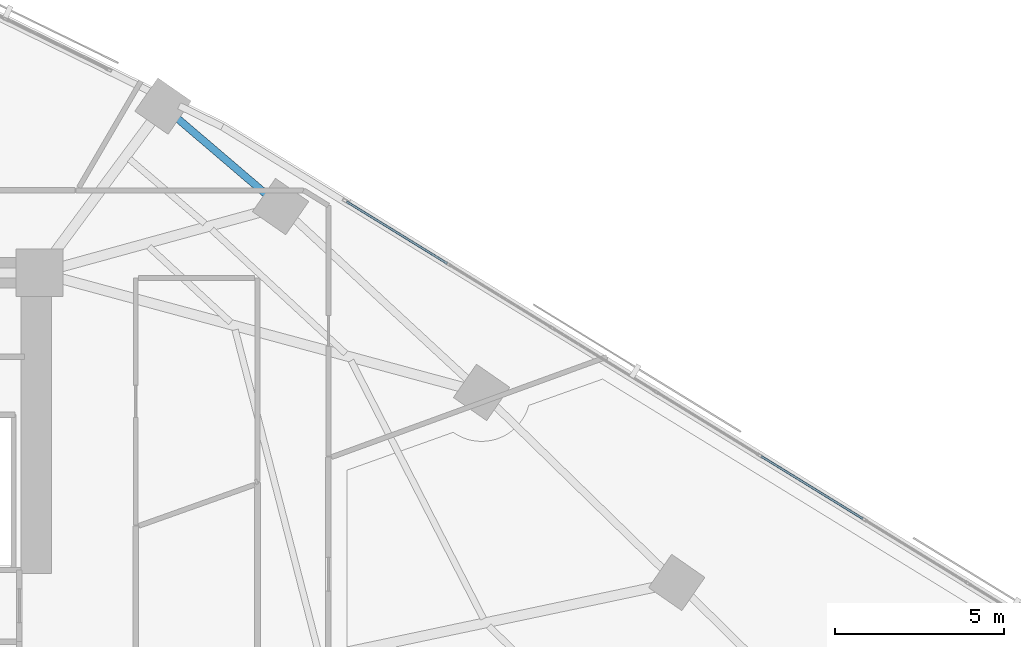
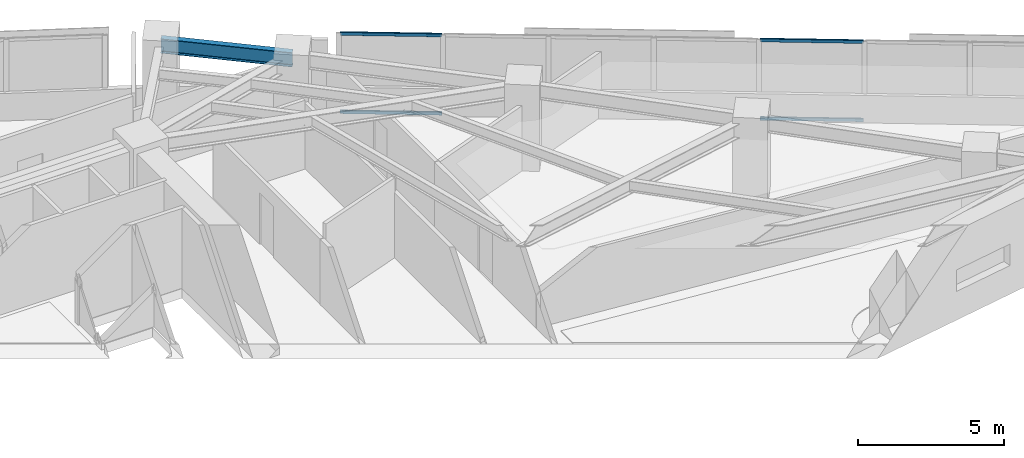
# One storey, part 7 of 18: 4 members, 1 beam, 1 element without a shape of its own.
"""IFC4 building model written with IfcOpenShell, lengths in metres."""

from ifc_helpers import new_model, si_unit, direction, frame, origin, origin_2d, place, context, subcontext, project, spatial, hollow_rectangle, i_section, extrude, material, material_profile, profile_set, type_object, element, aggregate, save


model = new_model("IFC4")

# Units and contexts
model_context = context("Model", 3, precision=1e-05, world=origin(), true_north=direction((0.0, 1.0)))
body_context = subcontext(model_context, "Body", "Model", "MODEL_VIEW")
ifc_project = project(units=[si_unit("LENGTHUNIT", "METRE"), si_unit("AREAUNIT", "SQUARE_METRE"), si_unit("VOLUMEUNIT", "CUBIC_METRE"), si_unit("PLANEANGLEUNIT", "RADIAN"), si_unit("MASSUNIT", "GRAM", prefix="KILO")], contexts=[model_context])

# Site, building, storey
site_placement = place(None, origin())
site = spatial("IfcSite", under=ifc_project, at=site_placement, CompositionType="ELEMENT")
building_placement = place(site_placement, origin())
building = spatial("IfcBuilding", under=site, at=building_placement, Name="Narakoshi Arena Tower", CompositionType="ELEMENT")
storey_placement = place(building_placement, frame((0.0, 0.0, 95.699951171875)))
storey = spatial("IfcBuildingStorey", under=building, at=storey_placement, Name="L25", CompositionType="ELEMENT", Elevation=95.699951171875)

# Beam
ifc_material_1 = material(Name="Structural steel S355J2", Category="steel")
ifc_material_profile_1 = material_profile(ifc_material_1, i_section(OverallWidth=0.219970703125, OverallDepth=0.60009765625, WebThickness=0.011962890625, FlangeThickness=0.01904296875, FilletRadius=0.02392578125, at=origin_2d()), Name="IPE600")
ifc_profile_set_1 = profile_set([ifc_material_profile_1], Name="Structural steel S355J2")
beam_type = type_object("IfcBeamType", Name="BM-EDGE-600", PredefinedType="BEAM", material=ifc_profile_set_1)
beam_placement = place(storey_placement, frame((92.68994140625, 58.462890625, 3.0400390625), z_axis=(-0.760410417533, 0.64944283575, 0.0), x_axis=(-0.64944283575, -0.760410417533, 0.0)))
element("IfcBeam", 1, at=beam_placement, inside=storey, type_object=beam_type, Name="L25 Perimeter Edge Girder 07", PredefinedType="BEAM", context=body_context, shape_type="SweptSolid", body=[
    extrude(i_section(OverallWidth=0.219970703125, OverallDepth=0.60009765625, WebThickness=0.011962890625, FlangeThickness=0.01904296875, FilletRadius=0.02392578125, at=origin_2d()), origin(), (0.0, 0.0, 1.0), 4.58056640625),
])

# Curtain wall, members
ifc_material_2 = material(Name="Anodised bronze aluminium 6063-T6", Category="aluminium")
curtain_wall_type = type_object("IfcCurtainWallType", Name="CW-HYP-LOW", PredefinedType="NOTDEFINED", material=ifc_material_2)
curtain_wall_placement = place(storey_placement, origin())
curtain_wall = element("IfcCurtainWall", 2, at=curtain_wall_placement, inside=storey, type_object=curtain_wall_type, Name="L25 Folded Hypotenuse Curtain Wall 1-1", PredefinedType="NOTDEFINED")
ifc_material_profile_2 = material_profile(ifc_material_2, hollow_rectangle(XDim=0.06494140625, YDim=0.1298828125, WallThickness=0.00390625, OuterFilletRadius=0.0048828125, at=origin_2d()), Name="TRN130x65x4")
ifc_profile_set_2 = profile_set([ifc_material_profile_2], Name="Anodised bronze aluminium 6063-T6")
member_type = type_object("IfcMemberType", Name="MEM-TRN-130", PredefinedType="USERDEFINED", material=ifc_profile_set_2)
member_1_placement = place(storey_placement, frame((109.931884765625, 49.218017578125, 0.032470703125), z_axis=(-0.852103699909, 0.523372988032, 0.0), x_axis=(-0.523372988032, -0.852103699909, 0.0)))
member_1 = element("IfcMember", 3, at=member_1_placement, type_object=member_type, Name="CW-01 transom 4.1", ObjectType="TRANSOM", PredefinedType="USERDEFINED", context=body_context, shape_type="SweptSolid", body=[
    extrude(hollow_rectangle(XDim=0.06494140625, YDim=0.1298828125, WallThickness=0.00390625, OuterFilletRadius=0.0048828125, at=origin_2d()), origin(), (0.0, 0.0, 1.0), 3.535888671875),
])
member_2_placement = place(storey_placement, frame((109.931884765625, 49.218017578125, 3.3076171875), z_axis=(-0.852103699909, 0.523372988032, 0.0), x_axis=(-0.523372988032, -0.852103699909, 0.0)))
member_2 = element("IfcMember", 4, at=member_2_placement, type_object=member_type, Name="CW-01 transom 4.2", ObjectType="TRANSOM", PredefinedType="USERDEFINED", context=body_context, shape_type="SweptSolid", body=[
    extrude(hollow_rectangle(XDim=0.06494140625, YDim=0.1298828125, WallThickness=0.00390625, OuterFilletRadius=0.0048828125, at=origin_2d()), origin(), (0.0, 0.0, 1.0), 3.535888671875),
])
member_3_placement = place(storey_placement, frame((97.624267578125, 56.777099609375, 0.032470703125), z_axis=(-0.852089324923, 0.52339639123, 0.0), x_axis=(-0.52339639123, -0.852089324923, 0.0)))
member_3 = element("IfcMember", 5, at=member_3_placement, type_object=member_type, Name="CW-01 transom 8.1", ObjectType="TRANSOM", PredefinedType="USERDEFINED", context=body_context, shape_type="SweptSolid", body=[
    extrude(hollow_rectangle(XDim=0.06494140625, YDim=0.1298828125, WallThickness=0.00390625, OuterFilletRadius=0.0048828125, at=origin_2d()), origin(), (0.0, 0.0, 1.0), 3.498291015625),
])
member_4_placement = place(storey_placement, frame((97.624267578125, 56.777099609375, 3.3076171875), z_axis=(-0.852089324923, 0.52339639123, 0.0), x_axis=(-0.52339639123, -0.852089324923, 0.0)))
member_4 = element("IfcMember", 6, at=member_4_placement, type_object=member_type, Name="CW-01 transom 8.2", ObjectType="TRANSOM", PredefinedType="USERDEFINED", context=body_context, shape_type="SweptSolid", body=[
    extrude(hollow_rectangle(XDim=0.06494140625, YDim=0.1298828125, WallThickness=0.00390625, OuterFilletRadius=0.0048828125, at=origin_2d()), origin(), (0.0, 0.0, 1.0), 3.498291015625),
])
aggregate(curtain_wall, [member_1, member_2, member_3, member_4])

save(model, "model.ifc")
